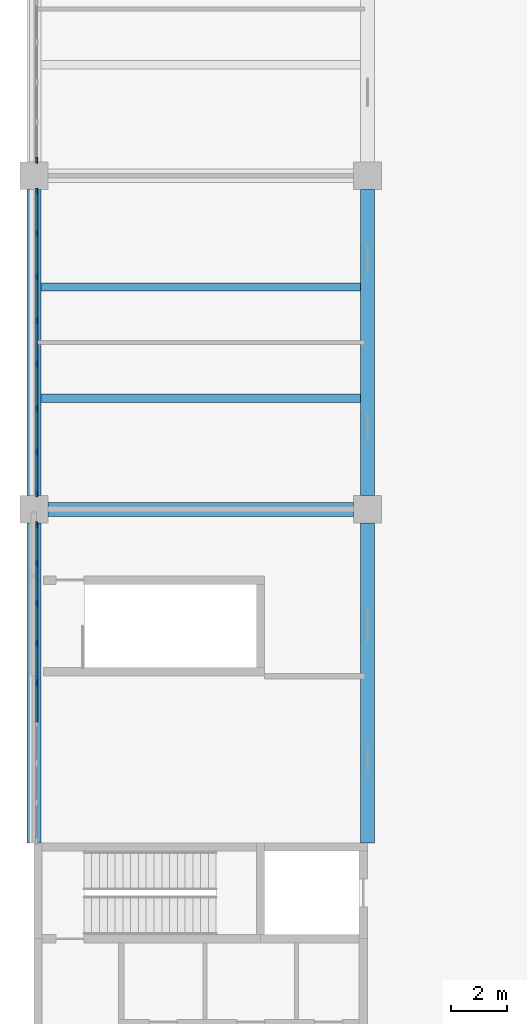
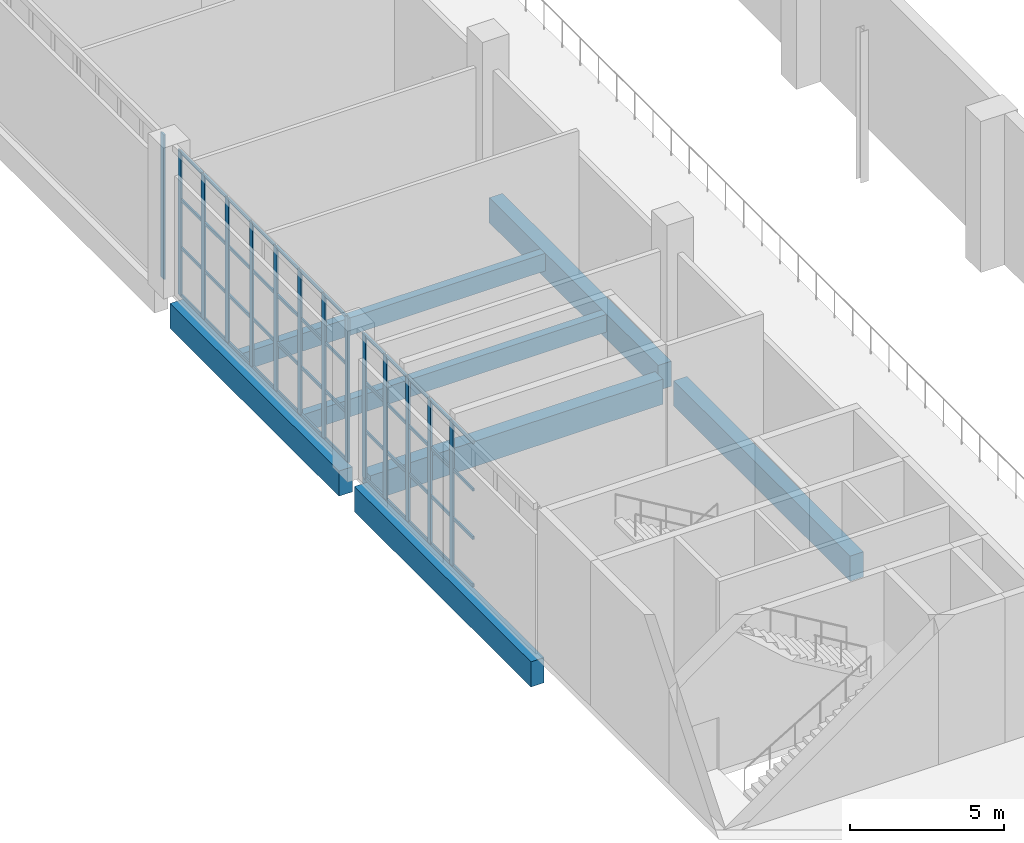
# One storey, part 14 of 72: 62 members, 7 beams, 3 elements without a shape of their own.
"""IFC4 building model written with IfcOpenShell, lengths in metres."""

from ifc_helpers import new_model, si_unit, direction, frame, origin, origin_2d, place, context, subcontext, project, spatial, rectangle, extrude, material, layer, layer_set, material_profile, profile_set, type_object, element, aggregate, save


model = new_model("IFC4")

# Units and contexts
model_context = context("Model", 3, precision=1e-05, world=origin(), true_north=direction((0.0, 1.0)))
body_context = subcontext(model_context, "Body", "Model", "MODEL_VIEW")
ifc_project = project(units=[si_unit("LENGTHUNIT", "METRE"), si_unit("AREAUNIT", "SQUARE_METRE"), si_unit("VOLUMEUNIT", "CUBIC_METRE"), si_unit("PLANEANGLEUNIT", "RADIAN"), si_unit("MASSUNIT", "GRAM", prefix="KILO")], contexts=[model_context])

# Site, building, storey
site_placement = place(None, origin())
site = spatial("IfcSite", under=ifc_project, at=site_placement, CompositionType="ELEMENT")
building_placement = place(site_placement, origin())
building = spatial("IfcBuilding", under=site, at=building_placement, Name="Lilac Gate Convention Centre", CompositionType="ELEMENT")
storey_placement = place(building_placement, frame((0.0, 0.0, 6.0)))
storey = spatial("IfcBuildingStorey", under=building, at=storey_placement, Name="L01", CompositionType="ELEMENT", Elevation=6.0)

# Curtain wall, member
ifc_material_1 = material(Name="Aluminium framed double glazing", Category="aluminium")
ifc_layer = layer(ifc_material_1, 0.199951171875)
ifc_layer_set = layer_set([ifc_layer], Name="Aluminium framed double glazing")
curtain_wall_type = type_object("IfcCurtainWallType", Name="Unitised curtain wall 1500", PredefinedType="NOTDEFINED", material=ifc_layer_set)
curtain_wall_1_placement = place(storey_placement, origin())
curtain_wall_1 = element("IfcCurtainWall", 1, at=curtain_wall_1_placement, inside=storey, type_object=curtain_wall_type, Name="Curtain wall PW L01 9", PredefinedType="NOTDEFINED")
ifc_material_2 = material(Name="Aluminium alloy 6063", Category="aluminium")
ifc_material_profile_1 = material_profile(ifc_material_2, rectangle(XDim=0.06005859375, YDim=0.219970703125, at=origin_2d()), Name="Curtain wall mullion 60 x 220")
ifc_profile_set_1 = profile_set([ifc_material_profile_1], Name="Aluminium alloy 6063")
member_type_1 = type_object("IfcMemberType", Name="Curtain wall mullion 60 x 220", PredefinedType="MULLION", material=ifc_profile_set_1)
member_1_placement = place(storey_placement, frame((6.10009765625, 78.56005859375, 0.0), z_axis=(0.0, 0.0, 1.0), x_axis=(1.0, 0.0, 0.0)))
member_1 = element("IfcMember", 2, at=member_1_placement, type_object=member_type_1, Name="CW mullion 9", PredefinedType="MULLION", context=body_context, shape_type="SweptSolid", body=[
    extrude(rectangle(XDim=0.06005859375, YDim=0.219970703125, at=origin_2d()), origin(), (0.0, 0.0, 1.0), 5.75),
])
aggregate(curtain_wall_1, [member_1])

# Curtain wall, members
curtain_wall_2_placement = place(storey_placement, origin())
curtain_wall_2 = element("IfcCurtainWall", 3, at=curtain_wall_2_placement, inside=storey, type_object=curtain_wall_type, Name="Curtain wall PW L01 10", PredefinedType="NOTDEFINED")
member_2_placement = place(storey_placement, frame((6.10009765625, 77.43994140625, 0.0), z_axis=(0.0, 0.0, 1.0), x_axis=(1.0, 0.0, 0.0)))
member_2 = element("IfcMember", 4, at=member_2_placement, type_object=member_type_1, Name="CW mullion 1", PredefinedType="MULLION", context=body_context, shape_type="SweptSolid", body=[
    extrude(rectangle(XDim=0.06005859375, YDim=0.219970703125, at=origin_2d()), origin(), (0.0, 0.0, 1.0), 5.75),
])
member_3_placement = place(storey_placement, frame((6.10009765625, 75.928466796875, 0.0), z_axis=(0.0, 0.0, 1.0), x_axis=(1.0, 0.0, 0.0)))
member_3 = element("IfcMember", 5, at=member_3_placement, type_object=member_type_1, Name="CW mullion 2", PredefinedType="MULLION", context=body_context, shape_type="SweptSolid", body=[
    extrude(rectangle(XDim=0.06005859375, YDim=0.219970703125, at=origin_2d()), origin(), (0.0, 0.0, 1.0), 5.75),
])
member_4_placement = place(storey_placement, frame((6.10009765625, 74.357177734375, 0.0), z_axis=(0.0, 0.0, 1.0), x_axis=(1.0, 0.0, 0.0)))
member_4 = element("IfcMember", 6, at=member_4_placement, type_object=member_type_1, Name="CW mullion 3", PredefinedType="MULLION", context=body_context, shape_type="SweptSolid", body=[
    extrude(rectangle(XDim=0.06005859375, YDim=0.219970703125, at=origin_2d()), origin(), (0.0, 0.0, 1.0), 5.75),
])
member_5_placement = place(storey_placement, frame((6.10009765625, 72.78564453125, 0.0), z_axis=(0.0, 0.0, 1.0), x_axis=(1.0, 0.0, 0.0)))
member_5 = element("IfcMember", 7, at=member_5_placement, type_object=member_type_1, Name="CW mullion 4", PredefinedType="MULLION", context=body_context, shape_type="SweptSolid", body=[
    extrude(rectangle(XDim=0.06005859375, YDim=0.219970703125, at=origin_2d()), origin(), (0.0, 0.0, 1.0), 5.75),
])
member_6_placement = place(storey_placement, frame((6.10009765625, 71.21435546875, 0.0), z_axis=(0.0, 0.0, 1.0), x_axis=(1.0, 0.0, 0.0)))
member_6 = element("IfcMember", 8, at=member_6_placement, type_object=member_type_1, Name="CW mullion 5", PredefinedType="MULLION", context=body_context, shape_type="SweptSolid", body=[
    extrude(rectangle(XDim=0.06005859375, YDim=0.219970703125, at=origin_2d()), origin(), (0.0, 0.0, 1.0), 5.75),
])
member_7_placement = place(storey_placement, frame((6.10009765625, 69.642822265625, 0.0), z_axis=(0.0, 0.0, 1.0), x_axis=(1.0, 0.0, 0.0)))
member_7 = element("IfcMember", 9, at=member_7_placement, type_object=member_type_1, Name="CW mullion 6", PredefinedType="MULLION", context=body_context, shape_type="SweptSolid", body=[
    extrude(rectangle(XDim=0.06005859375, YDim=0.219970703125, at=origin_2d()), origin(), (0.0, 0.0, 1.0), 5.75),
])
member_8_placement = place(storey_placement, frame((6.10009765625, 68.071533203125, 0.0), z_axis=(0.0, 0.0, 1.0), x_axis=(1.0, 0.0, 0.0)))
member_8 = element("IfcMember", 10, at=member_8_placement, type_object=member_type_1, Name="CW mullion 7", PredefinedType="MULLION", context=body_context, shape_type="SweptSolid", body=[
    extrude(rectangle(XDim=0.06005859375, YDim=0.219970703125, at=origin_2d()), origin(), (0.0, 0.0, 1.0), 5.75),
])
member_9_placement = place(storey_placement, frame((6.10009765625, 66.56005859375, 0.0), z_axis=(0.0, 0.0, 1.0), x_axis=(1.0, 0.0, 0.0)))
member_9 = element("IfcMember", 11, at=member_9_placement, type_object=member_type_1, Name="CW mullion 8", PredefinedType="MULLION", context=body_context, shape_type="SweptSolid", body=[
    extrude(rectangle(XDim=0.06005859375, YDim=0.219970703125, at=origin_2d()), origin(), (0.0, 0.0, 1.0), 5.75),
])

curtain_wall_3_placement = place(storey_placement, origin())
curtain_wall_3 = element("IfcCurtainWall", 12, at=curtain_wall_3_placement, inside=storey, type_object=curtain_wall_type, Name="Curtain wall PW L01 11", PredefinedType="NOTDEFINED")
member_10_placement = place(storey_placement, frame((6.10009765625, 65.43994140625, 0.0), z_axis=(0.0, 0.0, 1.0), x_axis=(1.0, 0.0, 0.0)))
member_10 = element("IfcMember", 13, at=member_10_placement, type_object=member_type_1, Name="CW mullion 1", PredefinedType="MULLION", context=body_context, shape_type="SweptSolid", body=[
    extrude(rectangle(XDim=0.06005859375, YDim=0.219970703125, at=origin_2d()), origin(), (0.0, 0.0, 1.0), 5.75),
])
member_11_placement = place(storey_placement, frame((6.10009765625, 64.0625, 0.0), z_axis=(0.0, 0.0, 1.0), x_axis=(1.0, 0.0, 0.0)))
member_11 = element("IfcMember", 14, at=member_11_placement, type_object=member_type_1, Name="CW mullion 2", PredefinedType="MULLION", context=body_context, shape_type="SweptSolid", body=[
    extrude(rectangle(XDim=0.06005859375, YDim=0.219970703125, at=origin_2d()), origin(), (0.0, 0.0, 1.0), 5.75),
])
member_12_placement = place(storey_placement, frame((6.10009765625, 62.625, 0.0), z_axis=(0.0, 0.0, 1.0), x_axis=(1.0, 0.0, 0.0)))
member_12 = element("IfcMember", 15, at=member_12_placement, type_object=member_type_1, Name="CW mullion 3", PredefinedType="MULLION", context=body_context, shape_type="SweptSolid", body=[
    extrude(rectangle(XDim=0.06005859375, YDim=0.219970703125, at=origin_2d()), origin(), (0.0, 0.0, 1.0), 5.75),
])
member_13_placement = place(storey_placement, frame((6.10009765625, 61.1875, 0.0), z_axis=(0.0, 0.0, 1.0), x_axis=(1.0, 0.0, 0.0)))
member_13 = element("IfcMember", 16, at=member_13_placement, type_object=member_type_1, Name="CW mullion 4", PredefinedType="MULLION", context=body_context, shape_type="SweptSolid", body=[
    extrude(rectangle(XDim=0.06005859375, YDim=0.219970703125, at=origin_2d()), origin(), (0.0, 0.0, 1.0), 5.75),
])
member_14_placement = place(storey_placement, frame((6.10009765625, 59.75, 0.0), z_axis=(0.0, 0.0, 1.0), x_axis=(1.0, 0.0, 0.0)))
member_14 = element("IfcMember", 17, at=member_14_placement, type_object=member_type_1, Name="CW mullion 5", PredefinedType="MULLION", context=body_context, shape_type="SweptSolid", body=[
    extrude(rectangle(XDim=0.06005859375, YDim=0.219970703125, at=origin_2d()), origin(), (0.0, 0.0, 1.0), 5.75),
])

# Member
ifc_material_profile_2 = material_profile(ifc_material_2, rectangle(XDim=0.06005859375, YDim=0.1201171875, at=origin_2d()), Name="Curtain wall transom 60 x 120")
ifc_profile_set_2 = profile_set([ifc_material_profile_2], Name="Aluminium alloy 6063")
member_type_2 = type_object("IfcMemberType", Name="Curtain wall transom 60 x 120", PredefinedType="USERDEFINED", material=ifc_profile_set_2)
member_15_placement = place(storey_placement, frame((6.10009765625, 77.43994140625, 0.030029296875), z_axis=(0.0, -1.0, 0.0), x_axis=(1.0, 0.0, 0.0)))
member_15 = element("IfcMember", 18, at=member_15_placement, type_object=member_type_2, Name="CW transom 1.1", ObjectType="TRANSOM", PredefinedType="USERDEFINED", context=body_context, shape_type="SweptSolid", body=[
    extrude(rectangle(XDim=0.06005859375, YDim=0.1201171875, at=origin_2d()), origin(), (0.0, 0.0, 1.0), 1.4814453125),
])

member_16_placement = place(storey_placement, frame((6.10009765625, 77.43994140625, 1.916748046875), z_axis=(0.0, -1.0, 0.0), x_axis=(1.0, 0.0, 0.0)))
member_16 = element("IfcMember", 19, at=member_16_placement, type_object=member_type_2, Name="CW transom 1.2", ObjectType="TRANSOM", PredefinedType="USERDEFINED", context=body_context, shape_type="SweptSolid", body=[
    extrude(rectangle(XDim=0.06005859375, YDim=0.1201171875, at=origin_2d()), origin(), (0.0, 0.0, 1.0), 1.4814453125),
])

member_17_placement = place(storey_placement, frame((6.10009765625, 77.43994140625, 3.833251953125), z_axis=(0.0, -1.0, 0.0), x_axis=(1.0, 0.0, 0.0)))
member_17 = element("IfcMember", 20, at=member_17_placement, type_object=member_type_2, Name="CW transom 1.3", ObjectType="TRANSOM", PredefinedType="USERDEFINED", context=body_context, shape_type="SweptSolid", body=[
    extrude(rectangle(XDim=0.06005859375, YDim=0.1201171875, at=origin_2d()), origin(), (0.0, 0.0, 1.0), 1.4814453125),
])

member_18_placement = place(storey_placement, frame((6.10009765625, 77.43994140625, 5.719970703125), z_axis=(0.0, -1.0, 0.0), x_axis=(1.0, 0.0, 0.0)))
member_18 = element("IfcMember", 21, at=member_18_placement, type_object=member_type_2, Name="CW transom 1.4", ObjectType="TRANSOM", PredefinedType="USERDEFINED", context=body_context, shape_type="SweptSolid", body=[
    extrude(rectangle(XDim=0.06005859375, YDim=0.1201171875, at=origin_2d()), origin(), (0.0, 0.0, 1.0), 1.4814453125),
])

member_19_placement = place(storey_placement, frame((6.10009765625, 75.898681640625, 0.030029296875), z_axis=(0.0, -1.0, 0.0), x_axis=(1.0, 0.0, 0.0)))
member_19 = element("IfcMember", 22, at=member_19_placement, type_object=member_type_2, Name="CW transom 2.1", ObjectType="TRANSOM", PredefinedType="USERDEFINED", context=body_context, shape_type="SweptSolid", body=[
    extrude(rectangle(XDim=0.06005859375, YDim=0.1201171875, at=origin_2d()), origin(), (0.0, 0.0, 1.0), 1.511474609375),
])

member_20_placement = place(storey_placement, frame((6.10009765625, 75.898681640625, 1.916748046875), z_axis=(0.0, -1.0, 0.0), x_axis=(1.0, 0.0, 0.0)))
member_20 = element("IfcMember", 23, at=member_20_placement, type_object=member_type_2, Name="CW transom 2.2", ObjectType="TRANSOM", PredefinedType="USERDEFINED", context=body_context, shape_type="SweptSolid", body=[
    extrude(rectangle(XDim=0.06005859375, YDim=0.1201171875, at=origin_2d()), origin(), (0.0, 0.0, 1.0), 1.511474609375),
])

member_21_placement = place(storey_placement, frame((6.10009765625, 75.898681640625, 3.833251953125), z_axis=(0.0, -1.0, 0.0), x_axis=(1.0, 0.0, 0.0)))
member_21 = element("IfcMember", 24, at=member_21_placement, type_object=member_type_2, Name="CW transom 2.3", ObjectType="TRANSOM", PredefinedType="USERDEFINED", context=body_context, shape_type="SweptSolid", body=[
    extrude(rectangle(XDim=0.06005859375, YDim=0.1201171875, at=origin_2d()), origin(), (0.0, 0.0, 1.0), 1.511474609375),
])

member_22_placement = place(storey_placement, frame((6.10009765625, 75.898681640625, 5.719970703125), z_axis=(0.0, -1.0, 0.0), x_axis=(1.0, 0.0, 0.0)))
member_22 = element("IfcMember", 25, at=member_22_placement, type_object=member_type_2, Name="CW transom 2.4", ObjectType="TRANSOM", PredefinedType="USERDEFINED", context=body_context, shape_type="SweptSolid", body=[
    extrude(rectangle(XDim=0.06005859375, YDim=0.1201171875, at=origin_2d()), origin(), (0.0, 0.0, 1.0), 1.511474609375),
])

member_23_placement = place(storey_placement, frame((6.10009765625, 74.3271484375, 0.030029296875), z_axis=(0.0, -1.0, 0.0), x_axis=(1.0, 0.0, 0.0)))
member_23 = element("IfcMember", 26, at=member_23_placement, type_object=member_type_2, Name="CW transom 3.1", ObjectType="TRANSOM", PredefinedType="USERDEFINED", context=body_context, shape_type="SweptSolid", body=[
    extrude(rectangle(XDim=0.06005859375, YDim=0.1201171875, at=origin_2d()), origin(), (0.0, 0.0, 1.0), 1.511474609375),
])

member_24_placement = place(storey_placement, frame((6.10009765625, 74.3271484375, 1.916748046875), z_axis=(0.0, -1.0, 0.0), x_axis=(1.0, 0.0, 0.0)))
member_24 = element("IfcMember", 27, at=member_24_placement, type_object=member_type_2, Name="CW transom 3.2", ObjectType="TRANSOM", PredefinedType="USERDEFINED", context=body_context, shape_type="SweptSolid", body=[
    extrude(rectangle(XDim=0.06005859375, YDim=0.1201171875, at=origin_2d()), origin(), (0.0, 0.0, 1.0), 1.511474609375),
])

member_25_placement = place(storey_placement, frame((6.10009765625, 74.3271484375, 3.833251953125), z_axis=(0.0, -1.0, 0.0), x_axis=(1.0, 0.0, 0.0)))
member_25 = element("IfcMember", 28, at=member_25_placement, type_object=member_type_2, Name="CW transom 3.3", ObjectType="TRANSOM", PredefinedType="USERDEFINED", context=body_context, shape_type="SweptSolid", body=[
    extrude(rectangle(XDim=0.06005859375, YDim=0.1201171875, at=origin_2d()), origin(), (0.0, 0.0, 1.0), 1.511474609375),
])

member_26_placement = place(storey_placement, frame((6.10009765625, 74.3271484375, 5.719970703125), z_axis=(0.0, -1.0, 0.0), x_axis=(1.0, 0.0, 0.0)))
member_26 = element("IfcMember", 29, at=member_26_placement, type_object=member_type_2, Name="CW transom 3.4", ObjectType="TRANSOM", PredefinedType="USERDEFINED", context=body_context, shape_type="SweptSolid", body=[
    extrude(rectangle(XDim=0.06005859375, YDim=0.1201171875, at=origin_2d()), origin(), (0.0, 0.0, 1.0), 1.511474609375),
])

member_27_placement = place(storey_placement, frame((6.10009765625, 72.755615234375, 0.030029296875), z_axis=(0.0, -1.0, 0.0), x_axis=(1.0, 0.0, 0.0)))
member_27 = element("IfcMember", 30, at=member_27_placement, type_object=member_type_2, Name="CW transom 4.1", ObjectType="TRANSOM", PredefinedType="USERDEFINED", context=body_context, shape_type="SweptSolid", body=[
    extrude(rectangle(XDim=0.06005859375, YDim=0.1201171875, at=origin_2d()), origin(), (0.0, 0.0, 1.0), 1.51123046875),
])

member_28_placement = place(storey_placement, frame((6.10009765625, 72.755615234375, 1.916748046875), z_axis=(0.0, -1.0, 0.0), x_axis=(1.0, 0.0, 0.0)))
member_28 = element("IfcMember", 31, at=member_28_placement, type_object=member_type_2, Name="CW transom 4.2", ObjectType="TRANSOM", PredefinedType="USERDEFINED", context=body_context, shape_type="SweptSolid", body=[
    extrude(rectangle(XDim=0.06005859375, YDim=0.1201171875, at=origin_2d()), origin(), (0.0, 0.0, 1.0), 1.51123046875),
])

member_29_placement = place(storey_placement, frame((6.10009765625, 72.755615234375, 3.833251953125), z_axis=(0.0, -1.0, 0.0), x_axis=(1.0, 0.0, 0.0)))
member_29 = element("IfcMember", 32, at=member_29_placement, type_object=member_type_2, Name="CW transom 4.3", ObjectType="TRANSOM", PredefinedType="USERDEFINED", context=body_context, shape_type="SweptSolid", body=[
    extrude(rectangle(XDim=0.06005859375, YDim=0.1201171875, at=origin_2d()), origin(), (0.0, 0.0, 1.0), 1.51123046875),
])

member_30_placement = place(storey_placement, frame((6.10009765625, 72.755615234375, 5.719970703125), z_axis=(0.0, -1.0, 0.0), x_axis=(1.0, 0.0, 0.0)))
member_30 = element("IfcMember", 33, at=member_30_placement, type_object=member_type_2, Name="CW transom 4.4", ObjectType="TRANSOM", PredefinedType="USERDEFINED", context=body_context, shape_type="SweptSolid", body=[
    extrude(rectangle(XDim=0.06005859375, YDim=0.1201171875, at=origin_2d()), origin(), (0.0, 0.0, 1.0), 1.51123046875),
])

member_31_placement = place(storey_placement, frame((6.10009765625, 71.184326171875, 0.030029296875), z_axis=(0.0, -1.0, 0.0), x_axis=(1.0, 0.0, 0.0)))
member_31 = element("IfcMember", 34, at=member_31_placement, type_object=member_type_2, Name="CW transom 5.1", ObjectType="TRANSOM", PredefinedType="USERDEFINED", context=body_context, shape_type="SweptSolid", body=[
    extrude(rectangle(XDim=0.06005859375, YDim=0.1201171875, at=origin_2d()), origin(), (0.0, 0.0, 1.0), 1.511474609375),
])

member_32_placement = place(storey_placement, frame((6.10009765625, 71.184326171875, 1.916748046875), z_axis=(0.0, -1.0, 0.0), x_axis=(1.0, 0.0, 0.0)))
member_32 = element("IfcMember", 35, at=member_32_placement, type_object=member_type_2, Name="CW transom 5.2", ObjectType="TRANSOM", PredefinedType="USERDEFINED", context=body_context, shape_type="SweptSolid", body=[
    extrude(rectangle(XDim=0.06005859375, YDim=0.1201171875, at=origin_2d()), origin(), (0.0, 0.0, 1.0), 1.511474609375),
])

member_33_placement = place(storey_placement, frame((6.10009765625, 71.184326171875, 3.833251953125), z_axis=(0.0, -1.0, 0.0), x_axis=(1.0, 0.0, 0.0)))
member_33 = element("IfcMember", 36, at=member_33_placement, type_object=member_type_2, Name="CW transom 5.3", ObjectType="TRANSOM", PredefinedType="USERDEFINED", context=body_context, shape_type="SweptSolid", body=[
    extrude(rectangle(XDim=0.06005859375, YDim=0.1201171875, at=origin_2d()), origin(), (0.0, 0.0, 1.0), 1.511474609375),
])

member_34_placement = place(storey_placement, frame((6.10009765625, 71.184326171875, 5.719970703125), z_axis=(0.0, -1.0, 0.0), x_axis=(1.0, 0.0, 0.0)))
member_34 = element("IfcMember", 37, at=member_34_placement, type_object=member_type_2, Name="CW transom 5.4", ObjectType="TRANSOM", PredefinedType="USERDEFINED", context=body_context, shape_type="SweptSolid", body=[
    extrude(rectangle(XDim=0.06005859375, YDim=0.1201171875, at=origin_2d()), origin(), (0.0, 0.0, 1.0), 1.511474609375),
])

member_35_placement = place(storey_placement, frame((6.10009765625, 69.61279296875, 0.030029296875), z_axis=(0.0, -1.0, 0.0), x_axis=(1.0, 0.0, 0.0)))
member_35 = element("IfcMember", 38, at=member_35_placement, type_object=member_type_2, Name="CW transom 6.1", ObjectType="TRANSOM", PredefinedType="USERDEFINED", context=body_context, shape_type="SweptSolid", body=[
    extrude(rectangle(XDim=0.06005859375, YDim=0.1201171875, at=origin_2d()), origin(), (0.0, 0.0, 1.0), 1.511474609375),
])

member_36_placement = place(storey_placement, frame((6.10009765625, 69.61279296875, 1.916748046875), z_axis=(0.0, -1.0, 0.0), x_axis=(1.0, 0.0, 0.0)))
member_36 = element("IfcMember", 39, at=member_36_placement, type_object=member_type_2, Name="CW transom 6.2", ObjectType="TRANSOM", PredefinedType="USERDEFINED", context=body_context, shape_type="SweptSolid", body=[
    extrude(rectangle(XDim=0.06005859375, YDim=0.1201171875, at=origin_2d()), origin(), (0.0, 0.0, 1.0), 1.511474609375),
])

member_37_placement = place(storey_placement, frame((6.10009765625, 69.61279296875, 3.833251953125), z_axis=(0.0, -1.0, 0.0), x_axis=(1.0, 0.0, 0.0)))
member_37 = element("IfcMember", 40, at=member_37_placement, type_object=member_type_2, Name="CW transom 6.3", ObjectType="TRANSOM", PredefinedType="USERDEFINED", context=body_context, shape_type="SweptSolid", body=[
    extrude(rectangle(XDim=0.06005859375, YDim=0.1201171875, at=origin_2d()), origin(), (0.0, 0.0, 1.0), 1.511474609375),
])

member_38_placement = place(storey_placement, frame((6.10009765625, 69.61279296875, 5.719970703125), z_axis=(0.0, -1.0, 0.0), x_axis=(1.0, 0.0, 0.0)))
member_38 = element("IfcMember", 41, at=member_38_placement, type_object=member_type_2, Name="CW transom 6.4", ObjectType="TRANSOM", PredefinedType="USERDEFINED", context=body_context, shape_type="SweptSolid", body=[
    extrude(rectangle(XDim=0.06005859375, YDim=0.1201171875, at=origin_2d()), origin(), (0.0, 0.0, 1.0), 1.511474609375),
])

member_39_placement = place(storey_placement, frame((6.10009765625, 68.04150390625, 0.030029296875), z_axis=(0.0, -1.0, 0.0), x_axis=(1.0, 0.0, 0.0)))
member_39 = element("IfcMember", 42, at=member_39_placement, type_object=member_type_2, Name="CW transom 7.1", ObjectType="TRANSOM", PredefinedType="USERDEFINED", context=body_context, shape_type="SweptSolid", body=[
    extrude(rectangle(XDim=0.06005859375, YDim=0.1201171875, at=origin_2d()), origin(), (0.0, 0.0, 1.0), 1.4814453125),
])

member_40_placement = place(storey_placement, frame((6.10009765625, 68.04150390625, 1.916748046875), z_axis=(0.0, -1.0, 0.0), x_axis=(1.0, 0.0, 0.0)))
member_40 = element("IfcMember", 43, at=member_40_placement, type_object=member_type_2, Name="CW transom 7.2", ObjectType="TRANSOM", PredefinedType="USERDEFINED", context=body_context, shape_type="SweptSolid", body=[
    extrude(rectangle(XDim=0.06005859375, YDim=0.1201171875, at=origin_2d()), origin(), (0.0, 0.0, 1.0), 1.4814453125),
])

member_41_placement = place(storey_placement, frame((6.10009765625, 68.04150390625, 3.833251953125), z_axis=(0.0, -1.0, 0.0), x_axis=(1.0, 0.0, 0.0)))
member_41 = element("IfcMember", 44, at=member_41_placement, type_object=member_type_2, Name="CW transom 7.3", ObjectType="TRANSOM", PredefinedType="USERDEFINED", context=body_context, shape_type="SweptSolid", body=[
    extrude(rectangle(XDim=0.06005859375, YDim=0.1201171875, at=origin_2d()), origin(), (0.0, 0.0, 1.0), 1.4814453125),
])

member_42_placement = place(storey_placement, frame((6.10009765625, 68.04150390625, 5.719970703125), z_axis=(0.0, -1.0, 0.0), x_axis=(1.0, 0.0, 0.0)))
member_42 = element("IfcMember", 45, at=member_42_placement, type_object=member_type_2, Name="CW transom 7.4", ObjectType="TRANSOM", PredefinedType="USERDEFINED", context=body_context, shape_type="SweptSolid", body=[
    extrude(rectangle(XDim=0.06005859375, YDim=0.1201171875, at=origin_2d()), origin(), (0.0, 0.0, 1.0), 1.4814453125),
])

aggregate(curtain_wall_2, [member_2, member_3, member_4, member_5, member_6, member_7, member_8, member_9, member_15, member_16, member_17, member_18, member_19, member_20, member_21, member_22, member_23, member_24, member_25, member_26, member_27, member_28, member_29, member_30, member_31, member_32, member_33, member_34, member_35, member_36, member_37, member_38, member_39, member_40, member_41, member_42])

member_43_placement = place(storey_placement, frame((6.10009765625, 65.43994140625, 0.030029296875), z_axis=(0.0, -1.0, 0.0), x_axis=(1.0, 0.0, 0.0)))
member_43 = element("IfcMember", 46, at=member_43_placement, type_object=member_type_2, Name="CW transom 1.1", ObjectType="TRANSOM", PredefinedType="USERDEFINED", context=body_context, shape_type="SweptSolid", body=[
    extrude(rectangle(XDim=0.06005859375, YDim=0.1201171875, at=origin_2d()), origin(), (0.0, 0.0, 1.0), 1.347412109375),
])

member_44_placement = place(storey_placement, frame((6.10009765625, 65.43994140625, 1.916748046875), z_axis=(0.0, -1.0, 0.0), x_axis=(1.0, 0.0, 0.0)))
member_44 = element("IfcMember", 47, at=member_44_placement, type_object=member_type_2, Name="CW transom 1.2", ObjectType="TRANSOM", PredefinedType="USERDEFINED", context=body_context, shape_type="SweptSolid", body=[
    extrude(rectangle(XDim=0.06005859375, YDim=0.1201171875, at=origin_2d()), origin(), (0.0, 0.0, 1.0), 1.347412109375),
])

member_45_placement = place(storey_placement, frame((6.10009765625, 65.43994140625, 3.833251953125), z_axis=(0.0, -1.0, 0.0), x_axis=(1.0, 0.0, 0.0)))
member_45 = element("IfcMember", 48, at=member_45_placement, type_object=member_type_2, Name="CW transom 1.3", ObjectType="TRANSOM", PredefinedType="USERDEFINED", context=body_context, shape_type="SweptSolid", body=[
    extrude(rectangle(XDim=0.06005859375, YDim=0.1201171875, at=origin_2d()), origin(), (0.0, 0.0, 1.0), 1.347412109375),
])

member_46_placement = place(storey_placement, frame((6.10009765625, 65.43994140625, 5.719970703125), z_axis=(0.0, -1.0, 0.0), x_axis=(1.0, 0.0, 0.0)))
member_46 = element("IfcMember", 49, at=member_46_placement, type_object=member_type_2, Name="CW transom 1.4", ObjectType="TRANSOM", PredefinedType="USERDEFINED", context=body_context, shape_type="SweptSolid", body=[
    extrude(rectangle(XDim=0.06005859375, YDim=0.1201171875, at=origin_2d()), origin(), (0.0, 0.0, 1.0), 1.347412109375),
])

member_47_placement = place(storey_placement, frame((6.10009765625, 64.032470703125, 0.030029296875), z_axis=(0.0, -1.0, 0.0), x_axis=(1.0, 0.0, 0.0)))
member_47 = element("IfcMember", 50, at=member_47_placement, type_object=member_type_2, Name="CW transom 2.1", ObjectType="TRANSOM", PredefinedType="USERDEFINED", context=body_context, shape_type="SweptSolid", body=[
    extrude(rectangle(XDim=0.06005859375, YDim=0.1201171875, at=origin_2d()), origin(), (0.0, 0.0, 1.0), 1.37744140625),
])

member_48_placement = place(storey_placement, frame((6.10009765625, 64.032470703125, 1.916748046875), z_axis=(0.0, -1.0, 0.0), x_axis=(1.0, 0.0, 0.0)))
member_48 = element("IfcMember", 51, at=member_48_placement, type_object=member_type_2, Name="CW transom 2.2", ObjectType="TRANSOM", PredefinedType="USERDEFINED", context=body_context, shape_type="SweptSolid", body=[
    extrude(rectangle(XDim=0.06005859375, YDim=0.1201171875, at=origin_2d()), origin(), (0.0, 0.0, 1.0), 1.37744140625),
])

member_49_placement = place(storey_placement, frame((6.10009765625, 64.032470703125, 3.833251953125), z_axis=(0.0, -1.0, 0.0), x_axis=(1.0, 0.0, 0.0)))
member_49 = element("IfcMember", 52, at=member_49_placement, type_object=member_type_2, Name="CW transom 2.3", ObjectType="TRANSOM", PredefinedType="USERDEFINED", context=body_context, shape_type="SweptSolid", body=[
    extrude(rectangle(XDim=0.06005859375, YDim=0.1201171875, at=origin_2d()), origin(), (0.0, 0.0, 1.0), 1.37744140625),
])

member_50_placement = place(storey_placement, frame((6.10009765625, 64.032470703125, 5.719970703125), z_axis=(0.0, -1.0, 0.0), x_axis=(1.0, 0.0, 0.0)))
member_50 = element("IfcMember", 53, at=member_50_placement, type_object=member_type_2, Name="CW transom 2.4", ObjectType="TRANSOM", PredefinedType="USERDEFINED", context=body_context, shape_type="SweptSolid", body=[
    extrude(rectangle(XDim=0.06005859375, YDim=0.1201171875, at=origin_2d()), origin(), (0.0, 0.0, 1.0), 1.37744140625),
])

member_51_placement = place(storey_placement, frame((6.10009765625, 62.594970703125, 0.030029296875), z_axis=(0.0, -1.0, 0.0), x_axis=(1.0, 0.0, 0.0)))
member_51 = element("IfcMember", 54, at=member_51_placement, type_object=member_type_2, Name="CW transom 3.1", ObjectType="TRANSOM", PredefinedType="USERDEFINED", context=body_context, shape_type="SweptSolid", body=[
    extrude(rectangle(XDim=0.06005859375, YDim=0.1201171875, at=origin_2d()), origin(), (0.0, 0.0, 1.0), 1.37744140625),
])

member_52_placement = place(storey_placement, frame((6.10009765625, 62.594970703125, 1.916748046875), z_axis=(0.0, -1.0, 0.0), x_axis=(1.0, 0.0, 0.0)))
member_52 = element("IfcMember", 55, at=member_52_placement, type_object=member_type_2, Name="CW transom 3.2", ObjectType="TRANSOM", PredefinedType="USERDEFINED", context=body_context, shape_type="SweptSolid", body=[
    extrude(rectangle(XDim=0.06005859375, YDim=0.1201171875, at=origin_2d()), origin(), (0.0, 0.0, 1.0), 1.37744140625),
])

member_53_placement = place(storey_placement, frame((6.10009765625, 62.594970703125, 3.833251953125), z_axis=(0.0, -1.0, 0.0), x_axis=(1.0, 0.0, 0.0)))
member_53 = element("IfcMember", 56, at=member_53_placement, type_object=member_type_2, Name="CW transom 3.3", ObjectType="TRANSOM", PredefinedType="USERDEFINED", context=body_context, shape_type="SweptSolid", body=[
    extrude(rectangle(XDim=0.06005859375, YDim=0.1201171875, at=origin_2d()), origin(), (0.0, 0.0, 1.0), 1.37744140625),
])

member_54_placement = place(storey_placement, frame((6.10009765625, 62.594970703125, 5.719970703125), z_axis=(0.0, -1.0, 0.0), x_axis=(1.0, 0.0, 0.0)))
member_54 = element("IfcMember", 57, at=member_54_placement, type_object=member_type_2, Name="CW transom 3.4", ObjectType="TRANSOM", PredefinedType="USERDEFINED", context=body_context, shape_type="SweptSolid", body=[
    extrude(rectangle(XDim=0.06005859375, YDim=0.1201171875, at=origin_2d()), origin(), (0.0, 0.0, 1.0), 1.37744140625),
])

member_55_placement = place(storey_placement, frame((6.10009765625, 61.157470703125, 0.030029296875), z_axis=(0.0, -1.0, 0.0), x_axis=(1.0, 0.0, 0.0)))
member_55 = element("IfcMember", 58, at=member_55_placement, type_object=member_type_2, Name="CW transom 4.1", ObjectType="TRANSOM", PredefinedType="USERDEFINED", context=body_context, shape_type="SweptSolid", body=[
    extrude(rectangle(XDim=0.06005859375, YDim=0.1201171875, at=origin_2d()), origin(), (0.0, 0.0, 1.0), 1.37744140625),
])

member_56_placement = place(storey_placement, frame((6.10009765625, 61.157470703125, 1.916748046875), z_axis=(0.0, -1.0, 0.0), x_axis=(1.0, 0.0, 0.0)))
member_56 = element("IfcMember", 59, at=member_56_placement, type_object=member_type_2, Name="CW transom 4.2", ObjectType="TRANSOM", PredefinedType="USERDEFINED", context=body_context, shape_type="SweptSolid", body=[
    extrude(rectangle(XDim=0.06005859375, YDim=0.1201171875, at=origin_2d()), origin(), (0.0, 0.0, 1.0), 1.37744140625),
])

member_57_placement = place(storey_placement, frame((6.10009765625, 61.157470703125, 3.833251953125), z_axis=(0.0, -1.0, 0.0), x_axis=(1.0, 0.0, 0.0)))
member_57 = element("IfcMember", 60, at=member_57_placement, type_object=member_type_2, Name="CW transom 4.3", ObjectType="TRANSOM", PredefinedType="USERDEFINED", context=body_context, shape_type="SweptSolid", body=[
    extrude(rectangle(XDim=0.06005859375, YDim=0.1201171875, at=origin_2d()), origin(), (0.0, 0.0, 1.0), 1.37744140625),
])

member_58_placement = place(storey_placement, frame((6.10009765625, 61.157470703125, 5.719970703125), z_axis=(0.0, -1.0, 0.0), x_axis=(1.0, 0.0, 0.0)))
member_58 = element("IfcMember", 61, at=member_58_placement, type_object=member_type_2, Name="CW transom 4.4", ObjectType="TRANSOM", PredefinedType="USERDEFINED", context=body_context, shape_type="SweptSolid", body=[
    extrude(rectangle(XDim=0.06005859375, YDim=0.1201171875, at=origin_2d()), origin(), (0.0, 0.0, 1.0), 1.37744140625),
])

member_59_placement = place(storey_placement, frame((6.10009765625, 59.719970703125, 0.030029296875), z_axis=(0.0, -1.0, 0.0), x_axis=(1.0, 0.0, 0.0)))
member_59 = element("IfcMember", 62, at=member_59_placement, type_object=member_type_2, Name="CW transom 5.1", ObjectType="TRANSOM", PredefinedType="USERDEFINED", context=body_context, shape_type="SweptSolid", body=[
    extrude(rectangle(XDim=0.06005859375, YDim=0.1201171875, at=origin_2d()), origin(), (0.0, 0.0, 1.0), 1.37744140625),
])

member_60_placement = place(storey_placement, frame((6.10009765625, 59.719970703125, 1.916748046875), z_axis=(0.0, -1.0, 0.0), x_axis=(1.0, 0.0, 0.0)))
member_60 = element("IfcMember", 63, at=member_60_placement, type_object=member_type_2, Name="CW transom 5.2", ObjectType="TRANSOM", PredefinedType="USERDEFINED", context=body_context, shape_type="SweptSolid", body=[
    extrude(rectangle(XDim=0.06005859375, YDim=0.1201171875, at=origin_2d()), origin(), (0.0, 0.0, 1.0), 1.37744140625),
])

member_61_placement = place(storey_placement, frame((6.10009765625, 59.719970703125, 3.833251953125), z_axis=(0.0, -1.0, 0.0), x_axis=(1.0, 0.0, 0.0)))
member_61 = element("IfcMember", 64, at=member_61_placement, type_object=member_type_2, Name="CW transom 5.3", ObjectType="TRANSOM", PredefinedType="USERDEFINED", context=body_context, shape_type="SweptSolid", body=[
    extrude(rectangle(XDim=0.06005859375, YDim=0.1201171875, at=origin_2d()), origin(), (0.0, 0.0, 1.0), 1.37744140625),
])

member_62_placement = place(storey_placement, frame((6.10009765625, 59.719970703125, 5.719970703125), z_axis=(0.0, -1.0, 0.0), x_axis=(1.0, 0.0, 0.0)))
member_62 = element("IfcMember", 65, at=member_62_placement, type_object=member_type_2, Name="CW transom 5.4", ObjectType="TRANSOM", PredefinedType="USERDEFINED", context=body_context, shape_type="SweptSolid", body=[
    extrude(rectangle(XDim=0.06005859375, YDim=0.1201171875, at=origin_2d()), origin(), (0.0, 0.0, 1.0), 1.37744140625),
])

aggregate(curtain_wall_3, [member_10, member_11, member_12, member_13, member_14, member_43, member_44, member_45, member_46, member_47, member_48, member_49, member_50, member_51, member_52, member_53, member_54, member_55, member_56, member_57, member_58, member_59, member_60, member_61, member_62])

# Beams
ifc_material_3 = material(Name="Concrete C40", Category="concrete")
ifc_material_profile_3 = material_profile(ifc_material_3, rectangle(XDim=0.5, YDim=1.0, at=origin_2d()), Name="RC 500x1000")
ifc_profile_set_3 = profile_set([ifc_material_profile_3], Name="Concrete C40")
beam_type_1 = type_object("IfcBeamType", Name="Primary beam 500x1000 C40", PredefinedType="BEAM", material=ifc_profile_set_3)
beam_1_placement = place(storey_placement, frame((6.5, 66.0, -0.75), z_axis=(1.0, 0.0, 0.0), x_axis=(0.0, 1.0, 0.0)))
element("IfcBeam", 66, at=beam_1_placement, inside=storey, type_object=beam_type_1, Name="RB1 L01 1/D-2/D", PredefinedType="BEAM", context=body_context, shape_type="SweptSolid", body=[
    extrude(rectangle(XDim=0.5, YDim=1.0, at=origin_2d()), origin(), (0.0, 0.0, 1.0), 11.0),
])
beam_2_placement = place(storey_placement, frame((6.0, 54.0, -0.75), z_axis=(0.0, 1.0, 0.0), x_axis=(-1.0, 0.0, 0.0)))
element("IfcBeam", 67, at=beam_2_placement, inside=storey, type_object=beam_type_1, Name="RB1 L01 1/C-1/D", PredefinedType="BEAM", context=body_context, shape_type="SweptSolid", body=[
    extrude(rectangle(XDim=0.5, YDim=1.0, at=origin_2d()), origin(), (0.0, 0.0, 1.0), 11.5),
])
beam_3_placement = place(storey_placement, frame((6.0, 66.5, -0.75), z_axis=(0.0, 1.0, 0.0), x_axis=(-1.0, 0.0, 0.0)))
element("IfcBeam", 68, at=beam_3_placement, inside=storey, type_object=beam_type_1, Name="RB1 L01 1/D-1/E", PredefinedType="BEAM", context=body_context, shape_type="SweptSolid", body=[
    extrude(rectangle(XDim=0.5, YDim=1.0, at=origin_2d()), origin(), (0.0, 0.0, 1.0), 11.0),
])
beam_4_placement = place(storey_placement, frame((18.0, 54.0, -0.75), z_axis=(0.0, 1.0, 0.0), x_axis=(-1.0, 0.0, 0.0)))
element("IfcBeam", 69, at=beam_4_placement, inside=storey, type_object=beam_type_1, Name="RB1 L01 2/C-2/D", PredefinedType="BEAM", context=body_context, shape_type="SweptSolid", body=[
    extrude(rectangle(XDim=0.5, YDim=1.0, at=origin_2d()), origin(), (0.0, 0.0, 1.0), 11.5),
])
beam_5_placement = place(storey_placement, frame((18.0, 66.5, -0.75), z_axis=(0.0, 1.0, 0.0), x_axis=(-1.0, 0.0, 0.0)))
element("IfcBeam", 70, at=beam_5_placement, inside=storey, type_object=beam_type_1, Name="RB1 L01 2/D-2/E", PredefinedType="BEAM", context=body_context, shape_type="SweptSolid", body=[
    extrude(rectangle(XDim=0.5, YDim=1.0, at=origin_2d()), origin(), (0.0, 0.0, 1.0), 11.0),
])
ifc_material_profile_4 = material_profile(ifc_material_3, rectangle(XDim=0.300048828125, YDim=0.699951171875, at=origin_2d()), Name="RC 300x700")
ifc_profile_set_4 = profile_set([ifc_material_profile_4], Name="Concrete C40")
beam_type_2 = type_object("IfcBeamType", Name="Secondary beam 300x700 C40", PredefinedType="BEAM", material=ifc_profile_set_4)
for number, where, z_axis, x_axis, name in (
    (71, (6.25, 70.0, -0.60009765625), (1.0, 0.0, 0.0), (0.0, 1.0, 0.0), "RB2 L01 bay 1/D"),
    (72, (6.25, 74.0, -0.60009765625), (1.0, 0.0, 0.0), (0.0, 1.0, 0.0), "RB2 L01 bay 1/D"),
):
    element("IfcBeam", number, at=place(storey_placement, frame(where, z_axis=z_axis, x_axis=x_axis)), inside=storey, type_object=beam_type_2, Name=name, PredefinedType="BEAM", context=body_context, shape_type="SweptSolid", body=[
        extrude(rectangle(XDim=0.300048828125, YDim=0.699951171875, at=origin_2d()), origin(), (0.0, 0.0, 1.0), 11.5),
    ])

save(model, "model.ifc")
